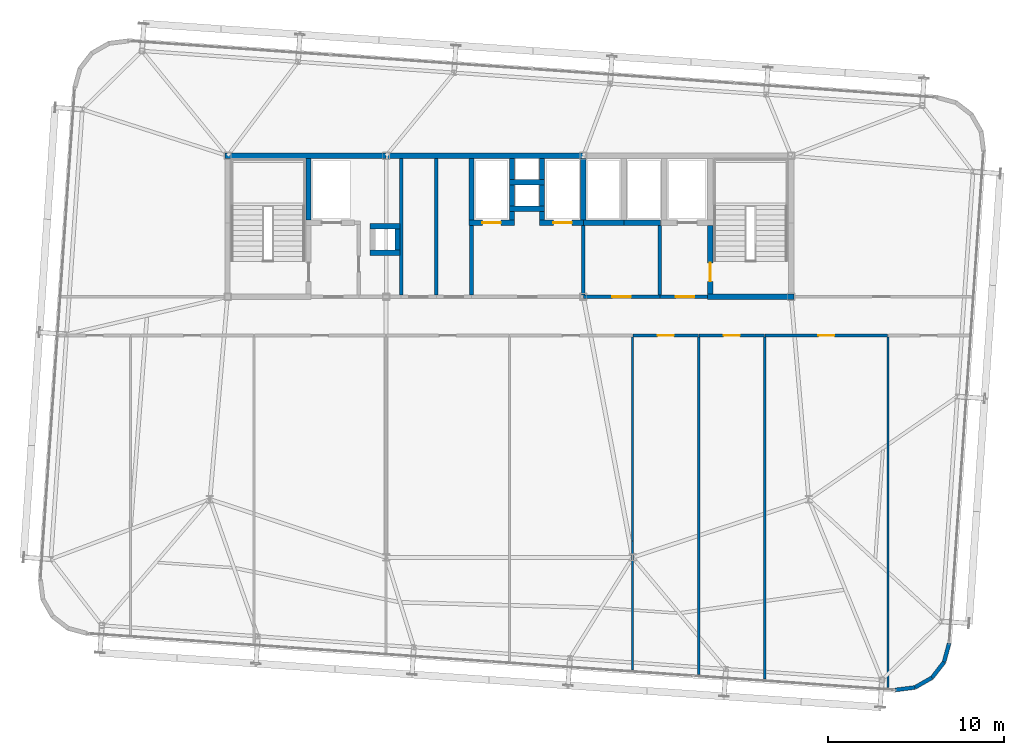
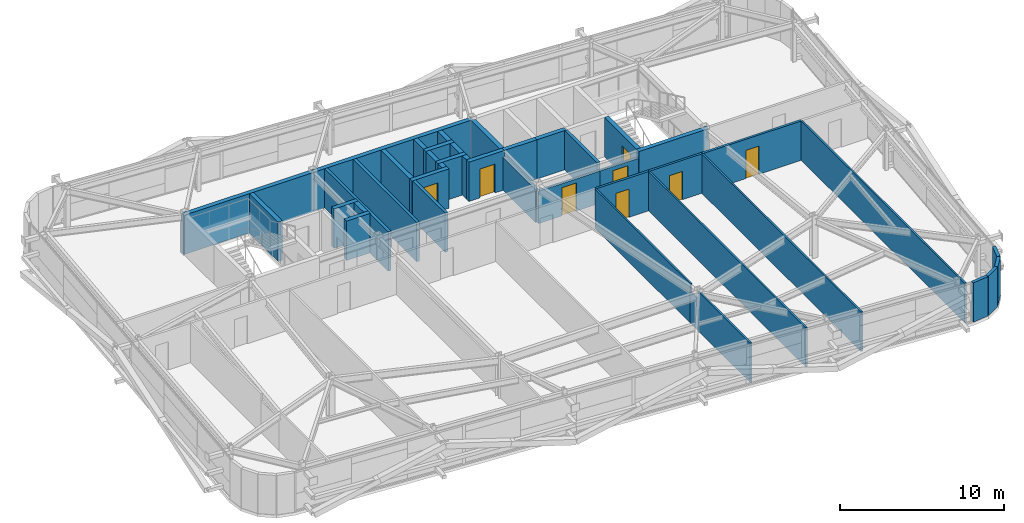
# One storey, part 36 of 39: 42 walls, 8 doors, 8 openings.
"""IFC4 building model written with IfcOpenShell, lengths in metres."""

from ifc_helpers import new_model, si_unit, direction, frame, frame_2d, origin, place, context, subcontext, project, spatial, rectangle, extrude, source, transform, mapped, material, layer, layer_set, type_object, element, fill, save


model = new_model("IFC4")

# Units and contexts
model_context = context("Model", 3, precision=1e-05, world=origin(), true_north=direction((0.0, 1.0)))
body_context = subcontext(model_context, "Body", "Model", "MODEL_VIEW")
ifc_project = project(units=[si_unit("LENGTHUNIT", "METRE"), si_unit("AREAUNIT", "SQUARE_METRE"), si_unit("VOLUMEUNIT", "CUBIC_METRE"), si_unit("PLANEANGLEUNIT", "RADIAN"), si_unit("MASSUNIT", "GRAM", prefix="KILO")], contexts=[model_context])

# Site, building, storey
site_placement = place(None, origin())
site = spatial("IfcSite", under=ifc_project, at=site_placement, CompositionType="ELEMENT")
building_placement = place(site_placement, origin())
building = spatial("IfcBuilding", under=site, at=building_placement, Name="Taldren Reach Tower", CompositionType="ELEMENT")
storey_placement = place(building_placement, frame((0.0, 0.0, 151.89990234375)))
storey = spatial("IfcBuildingStorey", under=building, at=storey_placement, Name="L46", CompositionType="ELEMENT", Elevation=151.89990234375)

# Walls
ifc_material_1 = material(Name="Pale Champagne Anodised Aluminium Cladding", Category="aluminium")
ifc_layer_1 = layer(ifc_material_1, 0.04, Name="Pale Champagne Anodised Aluminium Cladding", Category="aluminium")
ifc_material_2 = material(Name="Mineral Wool Acoustic Insulation", Category="insulation")
ifc_layer_2 = layer(ifc_material_2, 0.06, Name="Mineral Wool Acoustic Insulation", Category="insulation")
ifc_material_3 = material(Name="Steel Gr 350 (C350L0)", Category="steel")
ifc_layer_3 = layer(ifc_material_3, 0.12, Name="Steel Gr 350 (C350L0)", Category="steel")
ifc_layer_set_1 = layer_set([ifc_layer_1, ifc_layer_2, ifc_layer_3], Name="Pale Champagne Aluminium Cladding and Steel Gr 350 Stud Framing")
wall_type_1 = type_object("IfcWallType", Name="EW-CRN-220", PredefinedType="SOLIDWALL", material=ifc_layer_set_1)
shared_shape_1 = source(origin(), body_context, "Body", "SweptSolid", [
    extrude(rectangle(XDim=1.115966796875, YDim=0.219970703125, at=frame_2d((0.55810546875, 0.0))), origin(), (0.0, 0.0, 1.0), 2.93017578125),
])
for number, where, z_axis, x_axis, name in (
    (1, (58.02490234375, 1.8173828125, 0.0), (0.0, 0.0, 1.0), (0.868095010314, 0.496398079235, 0.0), "Rounded-corner pale-metal facade wall L46-SE2"),
    (2, (58.99365234375, 2.371337890625, 0.0), (0.0, 0.0, 1.0), (0.612318787668, 0.790610967714, 0.0), "Rounded-corner pale-metal facade wall L46-SE3"),
    (3, (59.677001953125, 3.253662109375, 0.0), (0.0, 0.0, 1.0), (0.262969307856, 0.964804199372, 0.0), "Rounded-corner pale-metal facade wall L46-SE4"),
):
    element("IfcWall", number, at=place(storey_placement, frame(where, z_axis=z_axis, x_axis=x_axis)), inside=storey, type_object=wall_type_1, Name=name, PredefinedType="SOLIDWALL", context=body_context, shape_type="MappedRepresentation", body=[
        mapped(shared_shape_1, transform((0.0, 0.0, 0.0), scale=1.0)),
    ])
shared_shape_2 = source(origin(), body_context, "Body", "SweptSolid", [
    extrude(rectangle(XDim=1.11572265625, YDim=0.219970703125, at=frame_2d((0.557861328125, 0.0))), origin(), (0.0, 0.0, 1.0), 2.93017578125),
])
wall_1_placement = place(storey_placement, frame((56.91796875, 1.6767578125, 0.0), z_axis=(0.0, 0.0, 1.0), x_axis=(0.99202678349, 0.126027222605, 0.0)))
element("IfcWall", 4, at=wall_1_placement, inside=storey, type_object=wall_type_1, Name="Rounded-corner pale-metal facade wall L46-SE1", PredefinedType="SOLIDWALL", context=body_context, shape_type="MappedRepresentation", body=[
    mapped(shared_shape_2, transform((0.0, 0.0, 0.0), scale=1.0)),
])
ifc_material_4 = material(Name="Concrete S65 (65 MPa)", Category="concrete")
ifc_layer_4 = layer(ifc_material_4, 0.300048828125)
ifc_layer_set_2 = layer_set([ifc_layer_4], Name="Concrete S65 (65 MPa)")
wall_type_2 = type_object("IfcWallType", Name="IW-CORE-300", PredefinedType="SHEAR", material=ifc_layer_set_2)
shared_shape_3 = source(origin(), body_context, "Body", "SweptSolid", [
    extrude(rectangle(XDim=9.14990234375, YDim=0.300048828125, at=frame_2d((4.574951171875, 0.0))), origin(), (0.0, 0.0, 1.0), 2.93017578125),
])
wall_2_placement = place(storey_placement, frame((18.85009765625, 32.0, 0.0), z_axis=(0.0, 0.0, 1.0), x_axis=(1.0, 0.0, 0.0)))
element("IfcWall", 5, at=wall_2_placement, inside=storey, type_object=wall_type_2, Name="Rear Core Shear Wall W-CORE-L46-NORTH1", PredefinedType="SHEAR", context=body_context, shape_type="MappedRepresentation", body=[
    mapped(shared_shape_3, transform((0.0, 0.0, 0.0), scale=1.0)),
])
shared_shape_4 = source(origin(), body_context, "Body", "SweptSolid", [
    extrude(rectangle(XDim=11.199951171875, YDim=0.300048828125, at=frame_2d((5.60009765625, 0.0))), origin(), (0.0, 0.0, 1.0), 2.93017578125),
])
wall_3_placement = place(storey_placement, frame((28.0, 32.0, 0.0), z_axis=(0.0, 0.0, 1.0), x_axis=(1.0, 0.0, 0.0)))
element("IfcWall", 6, at=wall_3_placement, inside=storey, type_object=wall_type_2, Name="Rear Core Shear Wall W-CORE-L46-NORTH2", PredefinedType="SHEAR", context=body_context, shape_type="MappedRepresentation", body=[
    mapped(shared_shape_4, transform((0.0, 0.0, 0.0), scale=1.0)),
])
shared_shape_5 = source(origin(), body_context, "Body", "SweptSolid", [
    extrude(rectangle(XDim=3.5, YDim=0.300048828125, at=frame_2d((1.75, 0.0))), origin(), (0.0, 0.0, 1.0), 2.93017578125),
])
for number, where, z_axis, x_axis, name in (
    (7, (23.60009765625, 28.35009765625, 0.0), (0.0, 0.0, 1.0), (0.0, 1.0, 0.0), "Rear Core Shear Wall W-INT-L46-001"),
    (8, (32.85009765625, 31.85009765625, 0.0), (0.0, 0.0, 1.0), (0.0, -1.0, 0.0), "Rear Core Shear Wall W-INT-L46-026"),
    (9, (39.199951171875, 28.35009765625, 0.0), (0.0, 0.0, 1.0), (0.0, 1.0, 0.0), "Rear Core Shear Wall W-INT-L46-029"),
):
    element("IfcWall", number, at=place(storey_placement, frame(where, z_axis=z_axis, x_axis=x_axis)), inside=storey, type_object=wall_type_2, Name=name, PredefinedType="SHEAR", context=body_context, shape_type="MappedRepresentation", body=[
        mapped(shared_shape_5, transform((0.0, 0.0, 0.0), scale=1.0)),
    ])

# Wall, opening, door
shared_shape_6 = source(origin(), body_context, "Body", "SweptSolid", [
    extrude(rectangle(XDim=3.900146484375, YDim=0.300048828125, at=frame_2d((1.9501953125, 0.0))), origin(), (0.0, 0.0, 1.0), 2.93017578125),
])
wall_4_placement = place(storey_placement, frame((46.39990234375, 28.050048828125, 0.0), z_axis=(0.0, 0.0, 1.0), x_axis=(0.0, -1.0, 0.0)))
wall_4 = element("IfcWall", 10, at=wall_4_placement, inside=storey, type_object=wall_type_2, Name="Rear Core Shear Wall W-INT-L46-008", PredefinedType="SHEAR", context=body_context, shape_type="MappedRepresentation", body=[
    mapped(shared_shape_6, transform((0.0, 0.0, 0.0), scale=1.0)),
])
shared_shape_7 = source(origin(), body_context, "Body", "SweptSolid", [
    extrude(rectangle(XDim=1.050048828125, YDim=2.10009765625, at=frame_2d((0.52490234375, 1.050048828125))), frame((0.0, 0.16015625, 0.0), z_axis=(0.0, -1.0, 0.0), x_axis=(1.0, 0.0, 0.0)), (0.0, 0.0, 1.0), 0.320068359375),
])
opening_1_placement = place(wall_4_placement, frame((2.125, 0.0, 0.0)))
opening_1 = element("IfcOpeningElement", 11, at=opening_1_placement, cuts=wall_4, Name="Opening DF-105", PredefinedType="OPENING", context=body_context, shape_type="MappedRepresentation", body=[
    mapped(shared_shape_7, transform((0.0, 0.0, 0.0), scale=1.0)),
])
ifc_material_5 = material(Name="Fire-Rated Care and Stair Exit Door")
door_type_1 = type_object("IfcDoorType", Name="ID-FIRE-105", OperationType="NOTDEFINED", PredefinedType="DOOR", material=ifc_material_5)
shared_shape_8 = source(origin(), body_context, "Body", "SweptSolid", [
    extrude(rectangle(XDim=1.050048828125, YDim=2.10009765625, at=frame_2d((0.52490234375, 1.050048828125))), frame((0.0, 0.02490234375, 0.0), z_axis=(0.0, -1.0, 0.0), x_axis=(1.0, 0.0, 0.0)), (0.0, 0.0, 1.0), 0.050048828125),
])
door_1_placement = place(opening_1_placement, origin())
door_1 = element("IfcDoor", 12, at=door_1_placement, inside=storey, type_object=door_type_1, Name="Fire Exit Stair Door DR-L46-003", OperationType="SINGLE_SWING_RIGHT", OverallHeight=2.10009765625, OverallWidth=1.050048828125, PredefinedType="DOOR", context=body_context, shape_type="MappedRepresentation", body=[
    mapped(shared_shape_8, transform((0.0, 0.0, 0.0), scale=1.0)),
])
fill(opening_1, door_1)

# Walls
shared_shape_9 = source(origin(), body_context, "Body", "SweptSolid", [
    extrude(rectangle(XDim=4.89990234375, YDim=0.300048828125, at=frame_2d((2.449951171875, 0.0))), origin(), (0.0, 0.0, 1.0), 2.93017578125),
])
wall_5_placement = place(storey_placement, frame((46.25, 24.0, 0.0), z_axis=(0.0, 0.0, 1.0), x_axis=(1.0, 0.0, 0.0)))
element("IfcWall", 13, at=wall_5_placement, inside=storey, type_object=wall_type_2, Name="Rear Core Shear Wall W-INT-L46-009", PredefinedType="SHEAR", context=body_context, shape_type="MappedRepresentation", body=[
    mapped(shared_shape_9, transform((0.0, 0.0, 0.0), scale=1.0)),
])
ifc_material_6 = material(Name="Concrete S50 (50 MPa)", Category="concrete")
ifc_layer_5 = layer(ifc_material_6, 0.199951171875)
ifc_layer_set_3 = layer_set([ifc_layer_5], Name="Concrete S50 (50 MPa)")
wall_type_3 = type_object("IfcWallType", Name="IW-CORE-200", PredefinedType="SOLIDWALL", material=ifc_layer_set_3)
shared_shape_10 = source(origin(), body_context, "Body", "SweptSolid", [
    extrude(rectangle(XDim=3.949951171875, YDim=0.199951171875, at=frame_2d((1.97509765625, 0.0))), origin(), (0.0, 0.0, 1.0), 2.93017578125),
])
for number, where, z_axis, x_axis, name in (
    (14, (43.550048828125, 28.050048828125, 0.0), (0.0, 0.0, 1.0), (0.0, -1.0, 0.0), "Rear Core Shear Wall W-INT-L46-012"),
    (15, (32.85009765625, 24.10009765625, 0.0), (0.0, 0.0, 1.0), (0.0, 1.0, 0.0), "Rear Core Shear Wall W-INT-L46-030"),
):
    element("IfcWall", number, at=place(storey_placement, frame(where, z_axis=z_axis, x_axis=x_axis)), inside=storey, type_object=wall_type_3, Name=name, PredefinedType="SOLIDWALL", context=body_context, shape_type="MappedRepresentation", body=[
        mapped(shared_shape_10, transform((0.0, 0.0, 0.0), scale=1.0)),
    ])

# Wall, opening, door
shared_shape_11 = source(origin(), body_context, "Body", "SweptSolid", [
    extrude(rectangle(XDim=2.699951171875, YDim=0.199951171875, at=frame_2d((1.35009765625, 0.0))), origin(), (0.0, 0.0, 1.0), 2.397216796875),
])
wall_6_placement = place(storey_placement, frame((43.550048828125, 24.0, 0.0), z_axis=(0.0, 0.0, 1.0), x_axis=(1.0, 0.0, 0.0)))
wall_6 = element("IfcWall", 16, at=wall_6_placement, inside=storey, type_object=wall_type_3, Name="Rear Core Shear Wall W-INT-L46-013", PredefinedType="SOLIDWALL", context=body_context, shape_type="MappedRepresentation", body=[
    mapped(shared_shape_11, transform((0.0, 0.0, 0.0), scale=1.0)),
])
shared_shape_12 = source(origin(), body_context, "Body", "SweptSolid", [
    extrude(rectangle(XDim=1.050048828125, YDim=2.10009765625, at=frame_2d((0.52490234375, 1.050048828125))), frame((0.0, 0.10986328125, 0.0), z_axis=(0.0, -1.0, 0.0), x_axis=(1.0, 0.0, 0.0)), (0.0, 0.0, 1.0), 0.219970703125),
])
opening_2_placement = place(wall_6_placement, frame((0.89990234375, 0.0, 0.0)))
opening_2 = element("IfcOpeningElement", 17, at=opening_2_placement, cuts=wall_6, Name="Opening DF-105", PredefinedType="OPENING", context=body_context, shape_type="MappedRepresentation", body=[
    mapped(shared_shape_12, transform((0.0, 0.0, 0.0), scale=1.0)),
])
door_2_placement = place(opening_2_placement, origin())
door_2 = element("IfcDoor", 18, at=door_2_placement, inside=storey, type_object=door_type_1, Name="Interior Door DR-L46-004", OperationType="SINGLE_SWING_LEFT", OverallHeight=2.10009765625, OverallWidth=1.050048828125, PredefinedType="DOOR", context=body_context, shape_type="MappedRepresentation", body=[
    mapped(shared_shape_8, transform((0.0, 0.0, 0.0), scale=1.0)),
])
fill(opening_2, door_2)

# Walls
shared_shape_13 = source(origin(), body_context, "Body", "SweptSolid", [
    extrude(rectangle(XDim=2.0, YDim=0.300048828125, at=frame_2d((1.0, 0.0))), origin(), (0.0, 0.0, 1.0), 2.93017578125),
])
for number, where, z_axis, x_axis, name in (
    (19, (35.0, 30.5, 0.0), (0.0, 0.0, 1.0), (1.0, 0.0, 0.0), "Rear Core Shear Wall W-INT-L46-014"),
    (20, (35.0, 29.0, 0.0), (0.0, 0.0, 1.0), (1.0, 0.0, 0.0), "Rear Core Shear Wall W-INT-L46-019"),
):
    element("IfcWall", number, at=place(storey_placement, frame(where, z_axis=z_axis, x_axis=x_axis)), inside=storey, type_object=wall_type_2, Name=name, PredefinedType="SHEAR", context=body_context, shape_type="MappedRepresentation", body=[
        mapped(shared_shape_13, transform((0.0, 0.0, 0.0), scale=1.0)),
    ])
shared_shape_14 = source(origin(), body_context, "Body", "SweptSolid", [
    extrude(rectangle(XDim=1.2001953125, YDim=0.300048828125, at=frame_2d((0.60009765625, 0.0))), origin(), (0.0, 0.0, 1.0), 2.93017578125),
])
for number, where, z_axis, x_axis, name in (
    (21, (35.14990234375, 31.85009765625, 0.0), (0.0, 0.0, 1.0), (0.0, -1.0, 0.0), "Rear Core Shear Wall W-INT-L46-015"),
    (22, (36.85009765625, 30.64990234375, 0.0), (0.0, 0.0, 1.0), (0.0, 1.0, 0.0), "Rear Core Shear Wall W-INT-L46-016"),
    (23, (35.14990234375, 30.35009765625, 0.0), (0.0, 0.0, 1.0), (0.0, -1.0, 0.0), "Rear Core Shear Wall W-INT-L46-017"),
    (24, (36.85009765625, 29.14990234375, 0.0), (0.0, 0.0, 1.0), (0.0, 1.0, 0.0), "Rear Core Shear Wall W-INT-L46-018"),
    (25, (28.64990234375, 26.64990234375, 0.0), (0.0, 0.0, 1.0), (0.0, 1.0, 0.0), "Rear Core Shear Wall W-INT-L46-020"),
):
    element("IfcWall", number, at=place(storey_placement, frame(where, z_axis=z_axis, x_axis=x_axis)), inside=storey, type_object=wall_type_2, Name=name, PredefinedType="SHEAR", context=body_context, shape_type="MappedRepresentation", body=[
        mapped(shared_shape_14, transform((0.0, 0.0, 0.0), scale=1.0)),
    ])
shared_shape_15 = source(origin(), body_context, "Body", "SweptSolid", [
    extrude(rectangle(XDim=2.070068359375, YDim=0.300048828125, at=frame_2d((1.03515625, 0.0))), origin(), (0.0, 0.0, 1.0), 2.93017578125),
])
wall_7_placement = place(storey_placement, frame((41.5, 28.199951171875, 0.0), z_axis=(0.0, 0.0, 1.0), x_axis=(1.0, 0.0, 0.0)))
element("IfcWall", 26, at=wall_7_placement, inside=storey, type_object=wall_type_2, Name="Rear Core Shear Wall W-INT-L46-035", PredefinedType="SHEAR", context=body_context, shape_type="MappedRepresentation", body=[
    mapped(shared_shape_15, transform((0.0, 0.0, 0.0), scale=1.0)),
])

# Wall, opening, door
shared_shape_16 = source(origin(), body_context, "Body", "SweptSolid", [
    extrude(rectangle(XDim=2.60009765625, YDim=0.300048828125, at=frame_2d((1.300048828125, 0.0))), origin(), (0.0, 0.0, 1.0), 2.93017578125),
])
wall_8_placement = place(storey_placement, frame((32.699951171875, 28.199951171875, 0.0), z_axis=(0.0, 0.0, 1.0), x_axis=(1.0, 0.0, 0.0)))
wall_8 = element("IfcWall", 27, at=wall_8_placement, inside=storey, type_object=wall_type_2, Name="Rear Core Shear Wall W-INT-L46-024", PredefinedType="SHEAR", context=body_context, shape_type="MappedRepresentation", body=[
    mapped(shared_shape_16, transform((0.0, 0.0, 0.0), scale=1.0)),
])
shared_shape_17 = source(origin(), body_context, "Body", "SweptSolid", [
    extrude(rectangle(XDim=1.050048828125, YDim=2.14990234375, at=frame_2d((0.52490234375, 1.074951171875))), frame((0.0, 0.16015625, 0.0), z_axis=(0.0, -1.0, 0.0), x_axis=(1.0, 0.0, 0.0)), (0.0, 0.0, 1.0), 0.320068359375),
])
opening_3_placement = place(wall_8_placement, frame((0.77490234375, 0.0, 0.0)))
opening_3 = element("IfcOpeningElement", 28, at=opening_3_placement, cuts=wall_8, Name="Opening LD-PM1", PredefinedType="OPENING", context=body_context, shape_type="MappedRepresentation", body=[
    mapped(shared_shape_17, transform((0.0, 0.0, 0.0), scale=1.0)),
])
ifc_material_7 = material(Name="Stainless Steel Gr 316 Passenger Lift Landing Door", Category="steel")
door_type_2 = type_object("IfcDoorType", Name="LD-PAS-105", OperationType="SLIDING_TO_LEFT", PredefinedType="DOOR", material=ifc_material_7)
shared_shape_18 = source(origin(), body_context, "Body", "SweptSolid", [
    extrude(rectangle(XDim=1.050048828125, YDim=2.14990234375, at=frame_2d((0.52490234375, 1.074951171875))), frame((0.0, 0.02490234375, 0.0), z_axis=(0.0, -1.0, 0.0), x_axis=(1.0, 0.0, 0.0)), (0.0, 0.0, 1.0), 0.050048828125),
])
door_3_placement = place(opening_3_placement, origin())
door_3 = element("IfcDoor", 29, at=door_3_placement, inside=storey, type_object=door_type_2, Name="Lift Landing Door LD-PM1-L46", OperationType="SLIDING_TO_LEFT", OverallHeight=2.14990234375, OverallWidth=1.050048828125, PredefinedType="DOOR", context=body_context, shape_type="MappedRepresentation", body=[
    mapped(shared_shape_18, transform((0.0, 0.0, 0.0), scale=1.0)),
])
fill(opening_3, door_3)

# Walls
shared_shape_19 = source(origin(), body_context, "Body", "SweptSolid", [
    extrude(rectangle(XDim=0.5, YDim=0.300048828125, at=frame_2d((0.25, 0.0))), origin(), (0.0, 0.0, 1.0), 2.93017578125),
])
for number, where, z_axis, x_axis, name in (
    (30, (35.14990234375, 28.35009765625, 0.0), (0.0, 0.0, 1.0), (0.0, 1.0, 0.0), "Rear Core Shear Wall W-INT-L46-025"),
    (31, (36.85009765625, 28.85009765625, 0.0), (0.0, 0.0, 1.0), (0.0, -1.0, 0.0), "Rear Core Shear Wall W-INT-L46-028"),
):
    element("IfcWall", number, at=place(storey_placement, frame(where, z_axis=z_axis, x_axis=x_axis)), inside=storey, type_object=wall_type_2, Name=name, PredefinedType="SHEAR", context=body_context, shape_type="MappedRepresentation", body=[
        mapped(shared_shape_19, transform((0.0, 0.0, 0.0), scale=1.0)),
    ])

# Wall, opening, door
shared_shape_20 = source(origin(), body_context, "Body", "SweptSolid", [
    extrude(rectangle(XDim=4.35009765625, YDim=0.199951171875, at=frame_2d((2.175048828125, 0.0))), origin(), (0.0, 0.0, 1.0), 2.397216796875),
])
wall_9_placement = place(storey_placement, frame((43.550048828125, 24.0, 0.0), z_axis=(0.0, 0.0, 1.0), x_axis=(-1.0, 0.0, 0.0)))
wall_9 = element("IfcWall", 32, at=wall_9_placement, inside=storey, type_object=wall_type_3, Name="Rear Core Shear Wall W-INT-L46-041", PredefinedType="SOLIDWALL", context=body_context, shape_type="MappedRepresentation", body=[
    mapped(shared_shape_20, transform((0.0, 0.0, 0.0), scale=1.0)),
])
opening_4_placement = place(wall_9_placement, frame((1.64990234375, 0.0, 0.0)))
opening_4 = element("IfcOpeningElement", 33, at=opening_4_placement, cuts=wall_9, Name="Opening DF-105", PredefinedType="OPENING", context=body_context, shape_type="MappedRepresentation", body=[
    mapped(shared_shape_12, transform((0.0, 0.0, 0.0), scale=1.0)),
])
door_4_placement = place(opening_4_placement, frame((1.050048828125, 0.0, 0.0), z_axis=(0.0, 0.0, 1.0), x_axis=(-1.0, 0.0, 0.0)))
door_4 = element("IfcDoor", 34, at=door_4_placement, inside=storey, type_object=door_type_1, Name="Interior Door DR-L46-008", OperationType="SINGLE_SWING_RIGHT", OverallHeight=2.10009765625, OverallWidth=1.050048828125, PredefinedType="DOOR", context=body_context, shape_type="MappedRepresentation", body=[
    mapped(shared_shape_8, transform((0.0, 0.0, 0.0), scale=1.0)),
])
fill(opening_4, door_4)

# Walls
shared_shape_21 = source(origin(), body_context, "Body", "SweptSolid", [
    extrude(rectangle(XDim=1.699951171875, YDim=0.300048828125, at=frame_2d((0.85009765625, 0.0))), origin(), (0.0, 0.0, 1.0), 2.93017578125),
])
for number, where, z_axis, x_axis, name in (
    (35, (28.800048828125, 28.0, 0.0), (0.0, 0.0, 1.0), (-1.0, 0.0, 0.0), "Rear Core Shear Wall W-INT-L46-022"),
    (36, (27.10009765625, 26.5, 0.0), (0.0, 0.0, 1.0), (1.0, 0.0, 0.0), "Rear Core Shear Wall W-INT-L46-023"),
):
    element("IfcWall", number, at=place(storey_placement, frame(where, z_axis=z_axis, x_axis=x_axis)), inside=storey, type_object=wall_type_2, Name=name, PredefinedType="SHEAR", context=body_context, shape_type="MappedRepresentation", body=[
        mapped(shared_shape_21, transform((0.0, 0.0, 0.0), scale=1.0)),
    ])

# Wall, opening, door
shared_shape_22 = source(origin(), body_context, "Body", "SweptSolid", [
    extrude(rectangle(XDim=2.5, YDim=0.300048828125, at=frame_2d((1.25, 0.0))), origin(), (0.0, 0.0, 1.0), 2.93017578125),
])
wall_10_placement = place(storey_placement, frame((36.699951171875, 28.199951171875, 0.0), z_axis=(0.0, 0.0, 1.0), x_axis=(1.0, 0.0, 0.0)))
wall_10 = element("IfcWall", 37, at=wall_10_placement, inside=storey, type_object=wall_type_2, Name="Rear Core Shear Wall W-INT-L46-027", PredefinedType="SHEAR", context=body_context, shape_type="MappedRepresentation", body=[
    mapped(shared_shape_22, transform((0.0, 0.0, 0.0), scale=1.0)),
])
opening_5_placement = place(wall_10_placement, frame((0.794921875, 0.0, 0.0)))
opening_5 = element("IfcOpeningElement", 38, at=opening_5_placement, cuts=wall_10, Name="Opening LD-PM2", PredefinedType="OPENING", context=body_context, shape_type="MappedRepresentation", body=[
    mapped(shared_shape_17, transform((0.0, 0.0, 0.0), scale=1.0)),
])
door_5_placement = place(opening_5_placement, origin())
door_5 = element("IfcDoor", 39, at=door_5_placement, inside=storey, type_object=door_type_2, Name="Lift Landing Door LD-PM2-L46", OperationType="SLIDING_TO_LEFT", OverallHeight=2.14990234375, OverallWidth=1.050048828125, PredefinedType="DOOR", context=body_context, shape_type="MappedRepresentation", body=[
    mapped(shared_shape_18, transform((0.0, 0.0, 0.0), scale=1.0)),
])
fill(opening_5, door_5)

# Walls
shared_shape_23 = source(origin(), body_context, "Body", "SweptSolid", [
    extrude(rectangle(XDim=3.949951171875, YDim=0.199951171875, at=frame_2d((1.97509765625, 0.0))), origin(), (0.0, 0.0, 1.0), 2.47021484375),
])
wall_11_placement = place(storey_placement, frame((39.199951171875, 28.050048828125, 0.0), z_axis=(0.0, 0.0, 1.0), x_axis=(0.0, -1.0, 0.0)))
element("IfcWall", 40, at=wall_11_placement, inside=storey, type_object=wall_type_3, Name="Rear Core Shear Wall W-INT-L46-031", PredefinedType="SOLIDWALL", context=body_context, shape_type="MappedRepresentation", body=[
    mapped(shared_shape_23, transform((0.0, 0.0, 0.0), scale=1.0)),
])
shared_shape_24 = source(origin(), body_context, "Body", "SweptSolid", [
    extrude(rectangle(XDim=2.300048828125, YDim=0.300048828125, at=frame_2d((1.14990234375, 0.0))), origin(), (0.0, 0.0, 1.0), 2.93017578125),
])
wall_12_placement = place(storey_placement, frame((39.199951171875, 28.199951171875, 0.0), z_axis=(0.0, 0.0, 1.0), x_axis=(1.0, 0.0, 0.0)))
element("IfcWall", 41, at=wall_12_placement, inside=storey, type_object=wall_type_2, Name="Rear Core Shear Wall W-INT-L46-034", PredefinedType="SHEAR", context=body_context, shape_type="MappedRepresentation", body=[
    mapped(shared_shape_24, transform((0.0, 0.0, 0.0), scale=1.0)),
])
shared_shape_25 = source(origin(), body_context, "Body", "SweptSolid", [
    extrude(rectangle(XDim=7.75, YDim=0.199951171875, at=frame_2d((3.875, 0.0))), origin(), (0.0, 0.0, 1.0), 2.93017578125),
])
for number, where, z_axis, x_axis, name in (
    (42, (28.85009765625, 31.85009765625, 0.0), (0.0, 0.0, 1.0), (0.0, -1.0, 0.0), "Rear Core Shear Wall W-INT-L46-036"),
    (43, (30.85009765625, 31.85009765625, 0.0), (0.0, 0.0, 1.0), (0.0, -1.0, 0.0), "Rear Core Shear Wall W-INT-L46-038"),
):
    element("IfcWall", number, at=place(storey_placement, frame(where, z_axis=z_axis, x_axis=x_axis)), inside=storey, type_object=wall_type_3, Name=name, PredefinedType="SOLIDWALL", context=body_context, shape_type="MappedRepresentation", body=[
        mapped(shared_shape_25, transform((0.0, 0.0, 0.0), scale=1.0)),
    ])

# Wall, opening, door
ifc_material_8 = material(Name="Fire-Rated Acoustic Plasterboard Stud Wall", Category="gypsum")
ifc_layer_6 = layer(ifc_material_8, 0.159912109375)
ifc_layer_set_4 = layer_set([ifc_layer_6], Name="Fire-Rated Acoustic Plasterboard Stud Wall")
wall_type_4 = type_object("IfcWallType", Name="IW-FIRE-160", PredefinedType="PARTITIONING", material=ifc_layer_set_4)
shared_shape_26 = source(origin(), body_context, "Body", "SweptSolid", [
    extrude(rectangle(XDim=3.70947265625, YDim=0.159912109375, at=frame_2d((1.854736328125, 0.0))), origin(), (0.0, 0.0, 1.0), 2.93017578125),
])
wall_13_placement = place(storey_placement, frame((45.729736328125, 21.800048828125, 0.0), z_axis=(0.0, 0.0, 1.0), x_axis=(-1.0, 0.0, 0.0)))
wall_13 = element("IfcWall", 44, at=wall_13_placement, inside=storey, type_object=wall_type_4, Name="Interior Partition Wall W-INT-L46-047", PredefinedType="PARTITIONING", context=body_context, shape_type="MappedRepresentation", body=[
    mapped(shared_shape_26, transform((0.0, 0.0, 0.0), scale=1.0)),
])
shared_shape_27 = source(origin(), body_context, "Body", "SweptSolid", [
    extrude(rectangle(XDim=0.919921875, YDim=2.10009765625, at=frame_2d((0.4599609375, 1.050048828125))), frame((0.0, 0.08984375, 0.0), z_axis=(0.0, -1.0, 0.0), x_axis=(1.0, 0.0, 0.0)), (0.0, 0.0, 1.0), 0.179931640625),
])
opening_6_placement = place(wall_13_placement, frame((1.394775390625, 0.0, 0.0)))
opening_6 = element("IfcOpeningElement", 45, at=opening_6_placement, cuts=wall_13, Name="Opening DI-092", PredefinedType="OPENING", context=body_context, shape_type="MappedRepresentation", body=[
    mapped(shared_shape_27, transform((0.0, 0.0, 0.0), scale=1.0)),
])
ifc_material_9 = material(Name="Solid-Core Timber Suite Door", Category="wood")
door_type_3 = type_object("IfcDoorType", Name="ID-INT-092", OperationType="NOTDEFINED", PredefinedType="DOOR", material=ifc_material_9)
shared_shape_28 = source(origin(), body_context, "Body", "SweptSolid", [
    extrude(rectangle(XDim=0.919921875, YDim=2.10009765625, at=frame_2d((0.4599609375, 1.050048828125))), frame((0.0, 0.02490234375, 0.0), z_axis=(0.0, -1.0, 0.0), x_axis=(1.0, 0.0, 0.0)), (0.0, 0.0, 1.0), 0.050048828125),
])
door_6_placement = place(opening_6_placement, origin())
door_6 = element("IfcDoor", 46, at=door_6_placement, inside=storey, type_object=door_type_3, Name="Interior Door DR-L46-014", OperationType="SINGLE_SWING_LEFT", OverallHeight=2.10009765625, OverallWidth=0.919921875, PredefinedType="DOOR", context=body_context, shape_type="MappedRepresentation", body=[
    mapped(shared_shape_28, transform((0.0, 0.0, 0.0), scale=1.0)),
])
fill(opening_6, door_6)

wall_14_placement = place(storey_placement, frame((49.479736328125, 21.800048828125, 0.0), z_axis=(0.0, 0.0, 1.0), x_axis=(-1.0, 0.0, 0.0)))
wall_14 = element("IfcWall", 47, at=wall_14_placement, inside=storey, type_object=wall_type_4, Name="Interior Partition Wall W-INT-L46-048", PredefinedType="PARTITIONING", context=body_context, shape_type="MappedRepresentation", body=[
    mapped(shared_shape_26, transform((0.0, 0.0, 0.0), scale=1.0)),
])
opening_7_placement = place(wall_14_placement, frame((1.394775390625, 0.0, 0.0)))
opening_7 = element("IfcOpeningElement", 48, at=opening_7_placement, cuts=wall_14, Name="Opening DI-092", PredefinedType="OPENING", context=body_context, shape_type="MappedRepresentation", body=[
    mapped(shared_shape_27, transform((0.0, 0.0, 0.0), scale=1.0)),
])
door_7_placement = place(opening_7_placement, origin())
door_7 = element("IfcDoor", 49, at=door_7_placement, inside=storey, type_object=door_type_3, Name="Interior Door DR-L46-015", OperationType="SINGLE_SWING_RIGHT", OverallHeight=2.10009765625, OverallWidth=0.919921875, PredefinedType="DOOR", context=body_context, shape_type="MappedRepresentation", body=[
    mapped(shared_shape_28, transform((0.0, 0.0, 0.0), scale=1.0)),
])
fill(opening_7, door_7)

# Wall
ifc_material_10 = material(Name="Insulated Residential Stud Partition", Category="gypsum")
ifc_layer_7 = layer(ifc_material_10, 0.1201171875)
ifc_layer_set_5 = layer_set([ifc_layer_7], Name="Insulated Residential Stud Partition")
wall_type_5 = type_object("IfcWallType", Name="IW-PART-120", PredefinedType="PARTITIONING", material=ifc_layer_set_5)
shared_shape_29 = source(origin(), body_context, "Body", "SweptSolid", [
    extrude(rectangle(XDim=0.941650390625, YDim=0.1201171875, at=frame_2d((0.470703125, 0.0))), origin(), (0.0, 0.0, 1.0), 2.328125),
])
wall_15_placement = place(storey_placement, frame((42.0, 10.13037109375, 0.0), z_axis=(0.0, 0.0, 1.0), x_axis=(0.0, -1.0, 0.0)))
element("IfcWall", 50, at=wall_15_placement, inside=storey, type_object=wall_type_5, Name="Interior Partition Wall W-INT-L46-057 part 2", PredefinedType="PARTITIONING", context=body_context, shape_type="MappedRepresentation", body=[
    mapped(shared_shape_29, transform((0.0, 0.0, 0.0), scale=1.0)),
])

# Wall, opening, door
shared_shape_30 = source(origin(), body_context, "Body", "SweptSolid", [
    extrude(rectangle(XDim=6.95947265625, YDim=0.159912109375, at=frame_2d((3.479736328125, 0.0))), origin(), (0.0, 0.0, 1.0), 2.93017578125),
])
wall_16_placement = place(storey_placement, frame((56.479736328125, 21.800048828125, 0.0), z_axis=(0.0, 0.0, 1.0), x_axis=(-1.0, 0.0, 0.0)))
wall_16 = element("IfcWall", 51, at=wall_16_placement, inside=storey, type_object=wall_type_4, Name="Interior Partition Wall W-INT-L46-049", PredefinedType="PARTITIONING", context=body_context, shape_type="MappedRepresentation", body=[
    mapped(shared_shape_30, transform((0.0, 0.0, 0.0), scale=1.0)),
])
opening_8_placement = place(wall_16_placement, frame((3.019775390625, 0.0, 0.0)))
opening_8 = element("IfcOpeningElement", 52, at=opening_8_placement, cuts=wall_16, Name="Opening DI-092", PredefinedType="OPENING", context=body_context, shape_type="MappedRepresentation", body=[
    mapped(shared_shape_27, transform((0.0, 0.0, 0.0), scale=1.0)),
])
door_8_placement = place(opening_8_placement, origin())
door_8 = element("IfcDoor", 53, at=door_8_placement, inside=storey, type_object=door_type_3, Name="Interior Door DR-L46-016", OperationType="SINGLE_SWING_LEFT", OverallHeight=2.10009765625, OverallWidth=0.919921875, PredefinedType="DOOR", context=body_context, shape_type="MappedRepresentation", body=[
    mapped(shared_shape_28, transform((0.0, 0.0, 0.0), scale=1.0)),
])
fill(opening_8, door_8)

# Walls
shared_shape_31 = source(origin(), body_context, "Body", "SweptSolid", [
    extrude(rectangle(XDim=11.586669921875, YDim=0.1201171875, at=frame_2d((5.79345703125, 0.0))), origin(), (0.0, 0.0, 1.0), 2.93017578125),
])
wall_17_placement = place(storey_placement, frame((42.0, 21.717041015625, 0.0), z_axis=(0.0, 0.0, 1.0), x_axis=(0.0, -1.0, 0.0)))
element("IfcWall", 54, at=wall_17_placement, inside=storey, type_object=wall_type_5, Name="Interior Partition Wall W-INT-L46-057", PredefinedType="PARTITIONING", context=body_context, shape_type="MappedRepresentation", body=[
    mapped(shared_shape_31, transform((0.0, 0.0, 0.0), scale=1.0)),
])
shared_shape_32 = source(origin(), body_context, "Body", "SweptSolid", [
    extrude(rectangle(XDim=6.3701171875, YDim=0.1201171875, at=frame_2d((3.18505859375, 0.0))), origin(), (0.0, 0.0, 1.0), 2.93017578125),
])
wall_18_placement = place(storey_placement, frame((42.0, 9.188720703125, 0.0), z_axis=(0.0, 0.0, 1.0), x_axis=(0.0, -1.0, 0.0)))
element("IfcWall", 55, at=wall_18_placement, inside=storey, type_object=wall_type_5, Name="Interior Partition Wall W-INT-L46-057 part 3", PredefinedType="PARTITIONING", context=body_context, shape_type="MappedRepresentation", body=[
    mapped(shared_shape_32, transform((0.0, 0.0, 0.0), scale=1.0)),
])
shared_shape_33 = source(origin(), body_context, "Body", "SweptSolid", [
    extrude(rectangle(XDim=19.16650390625, YDim=0.1201171875, at=frame_2d((9.583251953125, 0.0))), origin(), (0.0, 0.0, 1.0), 2.93017578125),
])
wall_19_placement = place(storey_placement, frame((45.75, 21.719970703125, 0.0), z_axis=(0.0, 0.0, 1.0), x_axis=(0.0, -1.0, 0.0)))
element("IfcWall", 56, at=wall_19_placement, inside=storey, type_object=wall_type_5, Name="Interior Partition Wall W-INT-L46-058", PredefinedType="PARTITIONING", context=body_context, shape_type="MappedRepresentation", body=[
    mapped(shared_shape_33, transform((0.0, 0.0, 0.0), scale=1.0)),
])
shared_shape_34 = source(origin(), body_context, "Body", "SweptSolid", [
    extrude(rectangle(XDim=19.4248046875, YDim=0.1201171875, at=frame_2d((9.71240234375, 0.0))), origin(), (0.0, 0.0, 1.0), 2.93017578125),
])
wall_20_placement = place(storey_placement, frame((49.5, 21.718017578125, 0.0), z_axis=(0.0, 0.0, 1.0), x_axis=(0.0, -1.0, 0.0)))
element("IfcWall", 57, at=wall_20_placement, inside=storey, type_object=wall_type_5, Name="Interior Partition Wall W-INT-L46-059", PredefinedType="PARTITIONING", context=body_context, shape_type="MappedRepresentation", body=[
    mapped(shared_shape_34, transform((0.0, 0.0, 0.0), scale=1.0)),
])
shared_shape_35 = source(origin(), body_context, "Body", "SweptSolid", [
    extrude(rectangle(XDim=19.918212890625, YDim=0.1201171875, at=frame_2d((9.958984375, 0.0))), origin(), (0.0, 0.0, 1.0), 2.93017578125),
])
wall_21_placement = place(storey_placement, frame((56.5, 21.719970703125, 0.0), z_axis=(0.0, 0.0, 1.0), x_axis=(0.0, -1.0, 0.0)))
element("IfcWall", 58, at=wall_21_placement, inside=storey, type_object=wall_type_5, Name="Interior Partition Wall W-INT-L46-060", PredefinedType="PARTITIONING", context=body_context, shape_type="MappedRepresentation", body=[
    mapped(shared_shape_35, transform((0.0, 0.0, 0.0), scale=1.0)),
])

save(model, "model.ifc")
